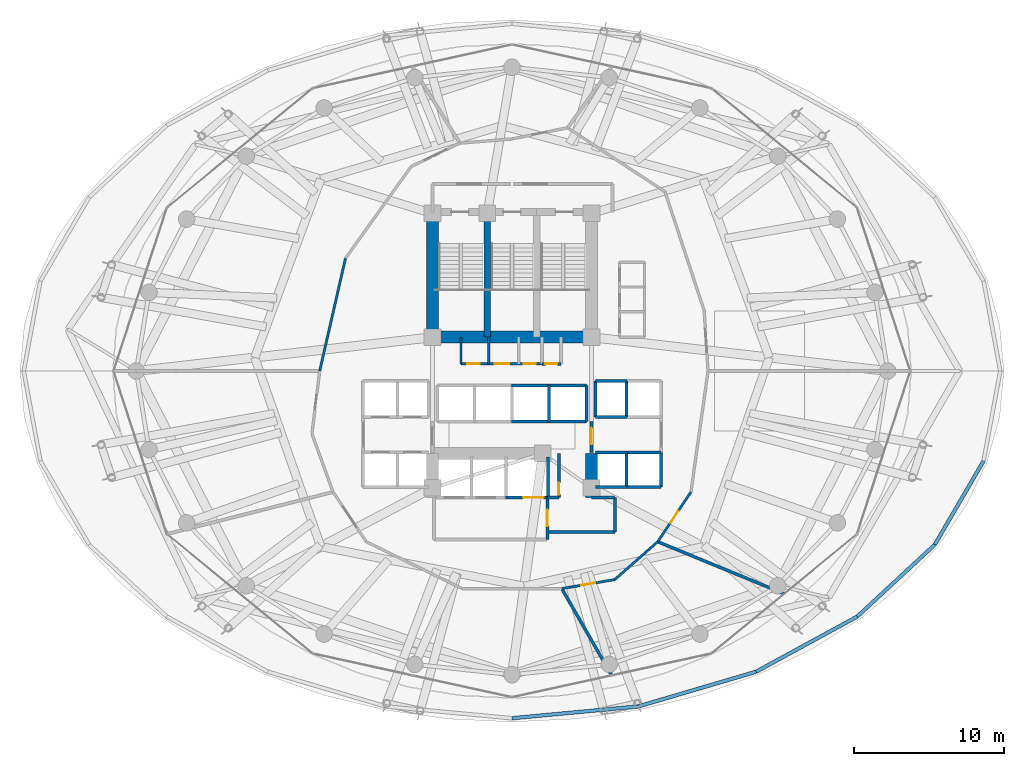
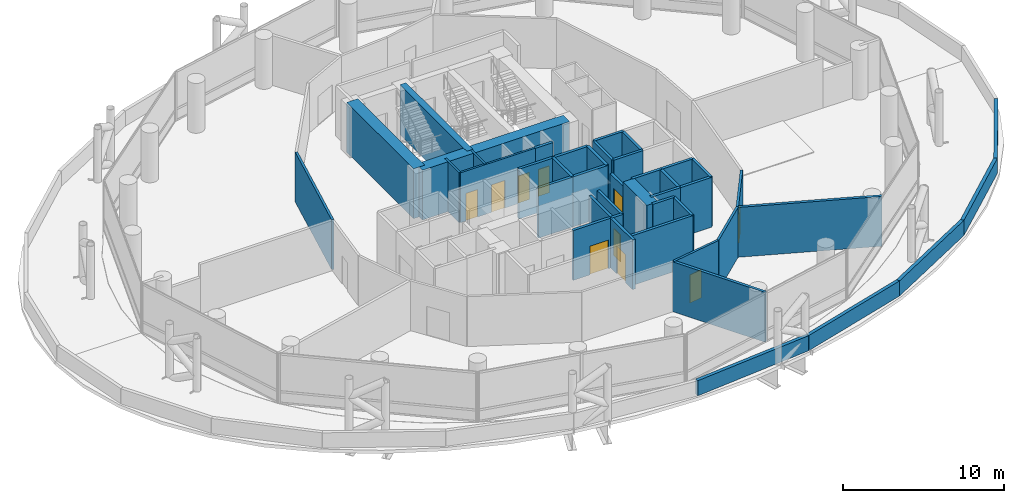
# One storey, part 30 of 37: 44 walls, 10 doors, 10 openings.
"""IFC4 building model written with IfcOpenShell, lengths in metres."""

from ifc_helpers import new_model, si_unit, direction, frame, frame_2d, origin, place, context, subcontext, project, spatial, rectangle, extrude, material, layer, layer_set, type_object, element, fill, save


model = new_model("IFC4")

# Units and contexts
model_context = context("Model", 3, precision=1e-05, world=origin(), true_north=direction((0.0, 1.0)))
body_context = subcontext(model_context, "Body", "Model", "MODEL_VIEW")
ifc_project = project(units=[si_unit("LENGTHUNIT", "METRE"), si_unit("AREAUNIT", "SQUARE_METRE"), si_unit("VOLUMEUNIT", "CUBIC_METRE"), si_unit("PLANEANGLEUNIT", "RADIAN"), si_unit("MASSUNIT", "GRAM", prefix="KILO")], contexts=[model_context])

# Site, building, storey
site_placement = place(None, origin())
site = spatial("IfcSite", under=ifc_project, at=site_placement, CompositionType="ELEMENT")
building_placement = place(site_placement, origin())
building = spatial("IfcBuilding", under=site, at=building_placement, Name="Nuhasar Tower", CompositionType="ELEMENT")
storey_placement = place(building_placement, frame((0.0, 0.0, 21.0)))
storey = spatial("IfcBuildingStorey", under=building, at=storey_placement, Name="L04", CompositionType="ELEMENT", Elevation=21.0)

# Walls
ifc_material_1 = material(Name="Concrete C50/60", Category="concrete")
ifc_layer_1 = layer(ifc_material_1, 0.449951171875)
ifc_layer_set_1 = layer_set([ifc_layer_1], Name="Concrete C50/60")
wall_type_1 = type_object("IfcWallType", Name="WL-CORE-450", PredefinedType="SHEAR", material=ifc_layer_set_1)
wall_1_placement = place(storey_placement, frame((37.35009765625, 29.050048828125, 0.0), z_axis=(0.0, 0.0, 1.0), x_axis=(0.0, 1.0, 0.0)))
element("IfcWall", 1, at=wall_1_placement, inside=storey, type_object=wall_type_1, Name="L04 Stairwell Shear Wall ST01-E", PredefinedType="SHEAR", context=body_context, shape_type="SweptSolid", body=[
    extrude(rectangle(XDim=8.349853515625, YDim=0.449951171875, at=frame_2d((4.1748046875, 0.0))), origin(), (0.0, 0.0, 1.0), 3.7900390625),
])
ifc_material_2 = material(Name="Concrete C80/95", Category="concrete")
ifc_layer_2 = layer(ifc_material_2, 0.800048828125)
ifc_layer_set_2 = layer_set([ifc_layer_2], Name="Concrete C80/95")
wall_type_2 = type_object("IfcWallType", Name="WL-CORE-800", PredefinedType="SHEAR", material=ifc_layer_set_2)
wall_2_placement = place(storey_placement, frame((33.699951171875, 29.050048828125, 0.0), z_axis=(0.0, 0.0, 1.0), x_axis=(0.0, 1.0, 0.0)))
element("IfcWall", 2, at=wall_2_placement, inside=storey, type_object=wall_type_2, Name="L04 Core Shear Wall CW-NW CW-800", PredefinedType="SHEAR", context=body_context, shape_type="SweptSolid", body=[
    extrude(rectangle(XDim=8.349853515625, YDim=0.800048828125, at=frame_2d((4.1748046875, 0.0))), origin(), (0.0, 0.0, 1.0), 3.7900390625),
])
wall_3_placement = place(storey_placement, frame((44.300048828125, 18.35009765625, 0.0), z_axis=(0.0, 0.0, 1.0), x_axis=(0.0, 1.0, 0.0)))
element("IfcWall", 3, at=wall_3_placement, inside=storey, type_object=wall_type_2, Name="L04 Core Shear Wall CW-SE CW-800", PredefinedType="SHEAR", context=body_context, shape_type="SweptSolid", body=[
    extrude(rectangle(XDim=2.949951171875, YDim=0.800048828125, at=frame_2d((1.47509765625, 0.0))), origin(), (0.0, 0.0, 1.0), 3.7900390625),
])
wall_4_placement = place(storey_placement, frame((33.699951171875, 29.050048828125, 0.0), z_axis=(0.0, 0.0, 1.0), x_axis=(1.0, 0.0, 0.0)))
element("IfcWall", 4, at=wall_4_placement, inside=storey, type_object=wall_type_2, Name="L04 Core Shear Wall CW-N1 CW-800", PredefinedType="SHEAR", context=body_context, shape_type="SweptSolid", body=[
    extrude(rectangle(XDim=10.60009765625, YDim=0.800048828125, at=frame_2d((5.300048828125, 0.0))), origin(), (0.0, 0.0, 1.0), 3.7900390625),
])
ifc_material_3 = material(Name="Gypsum Board", Category="gypsum")
ifc_layer_3 = layer(ifc_material_3, 0.159912109375)
ifc_layer_set_3 = layer_set([ifc_layer_3], Name="Gypsum Board")
wall_type_3 = type_object("IfcWallType", Name="WL-CORR-160", PredefinedType="PARTITIONING", material=ifc_layer_set_3)
wall_5_placement = place(storey_placement, frame((27.89794921875, 34.31005859375, 0.0), z_axis=(0.0, 0.0, 1.0), x_axis=(-0.223002916051, -0.974817777553, 0.0)))
element("IfcWall", 5, at=wall_5_placement, inside=storey, type_object=wall_type_3, Name="L04 Interior Partition CORR-20", PredefinedType="PARTITIONING", context=body_context, shape_type="SweptSolid", body=[
    extrude(rectangle(XDim=7.7041015625, YDim=0.159912109375, at=frame_2d((3.85205078125, 0.0))), origin(), (0.0, 0.0, 1.0), 3.7900390625),
])

# Wall, opening, door
wall_6_placement = place(storey_placement, frame((45.85205078125, 12.89501953125, 0.0), z_axis=(0.0, 0.0, 1.0), x_axis=(-0.985751576779, -0.168207695658, 0.0)))
wall_6 = element("IfcWall", 6, at=wall_6_placement, inside=storey, type_object=wall_type_3, Name="L04 Interior Partition CORR-38", PredefinedType="PARTITIONING", context=body_context, shape_type="SweptSolid", body=[
    extrude(rectangle(XDim=3.5849609375, YDim=0.159912109375, at=frame_2d((1.79248046875, 0.0))), origin(), (0.0, 0.0, 1.0), 3.7900390625),
])
opening_1_placement = place(wall_6_placement, frame((1.318115234375, 0.0, 0.0)))
opening_1 = element("IfcOpeningElement", 7, at=opening_1_placement, cuts=wall_6, Name="Opening DO-01", PredefinedType="OPENING", context=body_context, shape_type="SweptSolid", body=[
    extrude(rectangle(XDim=0.949951171875, YDim=2.14990234375, at=frame_2d((0.47509765625, 1.074951171875))), frame((0.0, 0.08984375, 0.0), z_axis=(0.0, -1.0, 0.0), x_axis=(1.0, 0.0, 0.0)), (0.0, 0.0, 1.0), 0.179931640625),
])
ifc_material_4 = material(Name="Timber Oak", Category="wood")
door_type_1 = type_object("IfcDoorType", Name="DR-OFFICE-FD30-950", OperationType="NOTDEFINED", PredefinedType="DOOR", material=ifc_material_4)
door_1_placement = place(opening_1_placement, origin())
door_1 = element("IfcDoor", 8, at=door_1_placement, inside=storey, type_object=door_type_1, Name="L04 Client Wellness Lounge Entry Door", OperationType="SINGLE_SWING_RIGHT", OverallHeight=2.14990234375, OverallWidth=0.949951171875, PredefinedType="DOOR", context=body_context, shape_type="SweptSolid", body=[
    extrude(rectangle(XDim=0.949951171875, YDim=2.14990234375, at=frame_2d((0.47509765625, 1.074951171875))), frame((0.0, 0.02490234375, 0.0), z_axis=(0.0, -1.0, 0.0), x_axis=(1.0, 0.0, 0.0)), (0.0, 0.0, 1.0), 0.050048828125),
])
fill(opening_1, door_1)

# Wall
wall_7_placement = place(storey_placement, frame((45.85205078125, 12.89501953125, 0.0), z_axis=(0.0, 0.0, 1.0), x_axis=(0.75014962781, 0.661268127083, 0.0)))
element("IfcWall", 9, at=wall_7_placement, inside=storey, type_object=wall_type_3, Name="L04 Interior Partition CORR-40", PredefinedType="PARTITIONING", context=body_context, shape_type="SweptSolid", body=[
    extrude(rectangle(XDim=3.8154296875, YDim=0.159912109375, at=frame_2d((1.90771484375, 0.0))), origin(), (0.0, 0.0, 1.0), 3.7900390625),
])

# Wall, opening, door
wall_8_placement = place(storey_placement, frame((50.929931640625, 18.72998046875, 0.0), z_axis=(0.0, 0.0, 1.0), x_axis=(-0.556056751682, -0.831144324958, 0.0)))
wall_8 = element("IfcWall", 10, at=wall_8_placement, inside=storey, type_object=wall_type_3, Name="L04 Interior Partition CORR-42", PredefinedType="PARTITIONING", context=body_context, shape_type="SweptSolid", body=[
    extrude(rectangle(XDim=3.98486328125, YDim=0.159912109375, at=frame_2d((1.992431640625, 0.0))), origin(), (0.0, 0.0, 1.0), 3.7900390625),
])
opening_2_placement = place(wall_8_placement, frame((1.51708984375, 0.0, 0.0)))
opening_2 = element("IfcOpeningElement", 11, at=opening_2_placement, cuts=wall_8, Name="Opening DO-01", PredefinedType="OPENING", context=body_context, shape_type="SweptSolid", body=[
    extrude(rectangle(XDim=0.949951171875, YDim=2.14990234375, at=frame_2d((0.47509765625, 1.074951171875))), frame((0.0, 0.08984375, 0.0), z_axis=(0.0, -1.0, 0.0), x_axis=(1.0, 0.0, 0.0)), (0.0, 0.0, 1.0), 0.179931640625),
])
door_2_placement = place(opening_2_placement, origin())
door_2 = element("IfcDoor", 12, at=door_2_placement, inside=storey, type_object=door_type_1, Name="L04 Tenant Archive Store Entry Door", OperationType="SINGLE_SWING_RIGHT", OverallHeight=2.14990234375, OverallWidth=0.949951171875, PredefinedType="DOOR", context=body_context, shape_type="SweptSolid", body=[
    extrude(rectangle(XDim=0.949951171875, YDim=2.14990234375, at=frame_2d((0.47509765625, 1.074951171875))), frame((0.0, 0.02490234375, 0.0), z_axis=(0.0, -1.0, 0.0), x_axis=(1.0, 0.0, 0.0)), (0.0, 0.0, 1.0), 0.050048828125),
])
fill(opening_2, door_2)

ifc_material_5 = material(Name="Concrete C45/55", Category="concrete")
ifc_layer_4 = layer(ifc_material_5, 0.199951171875)
ifc_layer_set_4 = layer_set([ifc_layer_4], Name="Concrete C45/55")
wall_type_4 = type_object("IfcWallType", Name="WL-LOBBY-200", PredefinedType="SOLIDWALL", material=ifc_layer_set_4)
wall_9_placement = place(storey_placement, frame((44.300048828125, 21.35009765625, 0.0), z_axis=(0.0, 0.0, 1.0), x_axis=(0.0, 1.0, 0.0)))
wall_9 = element("IfcWall", 13, at=wall_9_placement, inside=storey, type_object=wall_type_4, Name="L04 Interior Partition LLBH-E", PredefinedType="SOLIDWALL", context=body_context, shape_type="SweptSolid", body=[
    extrude(rectangle(XDim=2.099853515625, YDim=0.199951171875, at=frame_2d((1.0498046875, 0.0))), origin(), (0.0, 0.0, 1.0), 3.010009765625),
])
opening_3_placement = place(wall_9_placement, frame((0.550048828125, 0.0, 0.0)))
opening_3 = element("IfcOpeningElement", 14, at=opening_3_placement, cuts=wall_9, Name="Opening DS-02", PredefinedType="OPENING", context=body_context, shape_type="SweptSolid", body=[
    extrude(rectangle(XDim=1.10009765625, YDim=2.14990234375, at=frame_2d((0.550048828125, 1.074951171875))), frame((0.0, 0.10986328125, 0.0), z_axis=(0.0, -1.0, 0.0), x_axis=(1.0, 0.0, 0.0)), (0.0, 0.0, 1.0), 0.219970703125),
])
ifc_material_6 = material(Name="Steel S355", Category="steel")
door_type_2 = type_object("IfcDoorType", Name="DR-FFL-FD120-1100", OperationType="NOTDEFINED", PredefinedType="DOOR", material=ifc_material_6)
door_3_placement = place(opening_3_placement, origin())
door_3 = element("IfcDoor", 15, at=door_3_placement, inside=storey, type_object=door_type_2, Name="L04 High-Rise Lobby East Door", OperationType="SINGLE_SWING_RIGHT", OverallHeight=2.14990234375, OverallWidth=1.10009765625, PredefinedType="DOOR", context=body_context, shape_type="SweptSolid", body=[
    extrude(rectangle(XDim=1.10009765625, YDim=2.14990234375, at=frame_2d((0.550048828125, 1.074951171875))), frame((0.0, 0.02490234375, 0.0), z_axis=(0.0, -1.0, 0.0), x_axis=(1.0, 0.0, 0.0)), (0.0, 0.0, 1.0), 0.050048828125),
])
fill(opening_3, door_3)

wall_10_placement = place(storey_placement, frame((41.35009765625, 15.550048828125, 0.0), z_axis=(0.0, 0.0, 1.0), x_axis=(0.0, 1.0, 0.0)))
wall_10 = element("IfcWall", 16, at=wall_10_placement, inside=storey, type_object=wall_type_4, Name="L04 Interior Partition FFL-E", PredefinedType="SOLIDWALL", context=body_context, shape_type="SweptSolid", body=[
    extrude(rectangle(XDim=2.800048828125, YDim=0.199951171875, at=frame_2d((1.39990234375, 0.0))), origin(), (0.0, 0.0, 1.0), 3.7900390625),
])
opening_4_placement = place(wall_10_placement, frame((0.89990234375, 0.0, 0.0)))
opening_4 = element("IfcOpeningElement", 17, at=opening_4_placement, cuts=wall_10, Name="Opening DS-02", PredefinedType="OPENING", context=body_context, shape_type="SweptSolid", body=[
    extrude(rectangle(XDim=1.10009765625, YDim=2.14990234375, at=frame_2d((0.550048828125, 1.074951171875))), frame((0.0, 0.10986328125, 0.0), z_axis=(0.0, -1.0, 0.0), x_axis=(1.0, 0.0, 0.0)), (0.0, 0.0, 1.0), 0.219970703125),
])
door_4_placement = place(opening_4_placement, origin())
door_4 = element("IfcDoor", 18, at=door_4_placement, inside=storey, type_object=door_type_2, Name="L04 Firefighting Lobby Door", OperationType="SINGLE_SWING_RIGHT", OverallHeight=2.14990234375, OverallWidth=1.10009765625, PredefinedType="DOOR", context=body_context, shape_type="SweptSolid", body=[
    extrude(rectangle(XDim=1.10009765625, YDim=2.14990234375, at=frame_2d((0.550048828125, 1.074951171875))), frame((0.0, 0.02490234375, 0.0), z_axis=(0.0, -1.0, 0.0), x_axis=(1.0, 0.0, 0.0)), (0.0, 0.0, 1.0), 0.050048828125),
])
fill(opening_4, door_4)

# Walls
wall_11_placement = place(storey_placement, frame((41.35009765625, 16.050048828125, 0.0), z_axis=(0.0, 0.0, 1.0), x_axis=(1.0, 0.0, 0.0)))
element("IfcWall", 19, at=wall_11_placement, inside=storey, type_object=wall_type_4, Name="L04 Interior Partition SVLV-S", PredefinedType="SOLIDWALL", context=body_context, shape_type="SweptSolid", body=[
    extrude(rectangle(XDim=4.5, YDim=0.199951171875, at=frame_2d((2.25, 0.0))), origin(), (0.0, 0.0, 1.0), 3.7900390625),
])
wall_12_placement = place(storey_placement, frame((45.85009765625, 16.050048828125, 0.0), z_axis=(0.0, 0.0, 1.0), x_axis=(0.0, 1.0, 0.0)))
element("IfcWall", 20, at=wall_12_placement, inside=storey, type_object=wall_type_4, Name="L04 Interior Partition SVLV-E", PredefinedType="SOLIDWALL", context=body_context, shape_type="SweptSolid", body=[
    extrude(rectangle(XDim=2.300048828125, YDim=0.199951171875, at=frame_2d((1.14990234375, 0.0))), origin(), (0.0, 0.0, 1.0), 3.7900390625),
])
wall_13_placement = place(storey_placement, frame((44.300048828125, 18.35009765625, 0.0), z_axis=(0.0, 0.0, 1.0), x_axis=(1.0, 0.0, 0.0)))
element("IfcWall", 21, at=wall_13_placement, inside=storey, type_object=wall_type_4, Name="L04 Interior Partition SVLV-N", PredefinedType="SOLIDWALL", context=body_context, shape_type="SweptSolid", body=[
    extrude(rectangle(XDim=1.550048828125, YDim=0.199951171875, at=frame_2d((0.77490234375, 0.0))), origin(), (0.0, 0.0, 1.0), 3.7900390625),
])
ifc_layer_5 = layer(ifc_material_5, 0.239990234375)
ifc_layer_set_5 = layer_set([ifc_layer_5], Name="Concrete C45/55")
wall_type_5 = type_object("IfcWallType", Name="WL-PARAPET-240", PredefinedType="PARAPET", material=ifc_layer_set_5)
wall_14_placement = place(storey_placement, frame((39.0, 3.64990234375, 0.0), z_axis=(0.0, 0.0, 1.0), x_axis=(0.995642852172, 0.093248651025, 0.0)))
element("IfcWall", 22, at=wall_14_placement, inside=storey, type_object=wall_type_5, Name="L04 Podium Roof Parapet 19", PredefinedType="PARAPET", context=body_context, shape_type="SweptSolid", body=[
    extrude(rectangle(XDim=8.4619140625, YDim=0.239990234375, at=frame_2d((4.23095703125, 0.0))), origin(), (0.0, 0.0, 1.0), 1.14990234375),
])
wall_15_placement = place(storey_placement, frame((47.425048828125, 4.43896484375, 0.0), z_axis=(0.0, 0.0, 1.0), x_axis=(0.959226195017, 0.282639535085, 0.0)))
element("IfcWall", 23, at=wall_15_placement, inside=storey, type_object=wall_type_5, Name="L04 Podium Roof Parapet 20", PredefinedType="PARAPET", context=body_context, shape_type="SweptSolid", body=[
    extrude(rectangle(XDim=8.18359375, YDim=0.239990234375, at=frame_2d((4.091796875, 0.0))), origin(), (0.0, 0.0, 1.0), 1.14990234375),
])
wall_16_placement = place(storey_placement, frame((55.27490234375, 6.751953125, 0.0), z_axis=(0.0, 0.0, 1.0), x_axis=(0.877843323355, 0.47894790911, 0.0)))
element("IfcWall", 24, at=wall_16_placement, inside=storey, type_object=wall_type_5, Name="L04 Podium Roof Parapet 21", PredefinedType="PARAPET", context=body_context, shape_type="SweptSolid", body=[
    extrude(rectangle(XDim=7.67919921875, YDim=0.239990234375, at=frame_2d((3.839599609375, 0.0))), origin(), (0.0, 0.0, 1.0), 1.14990234375),
])
wall_17_placement = place(storey_placement, frame((62.01611328125, 10.429931640625, 0.0), z_axis=(0.0, 0.0, 1.0), x_axis=(0.733372632091, 0.679826876859, 0.0)))
element("IfcWall", 25, at=wall_17_placement, inside=storey, type_object=wall_type_5, Name="L04 Podium Roof Parapet 22", PredefinedType="PARAPET", context=body_context, shape_type="SweptSolid", body=[
    extrude(rectangle(XDim=7.053466796875, YDim=0.239990234375, at=frame_2d((3.52685546875, 0.0))), origin(), (0.0, 0.0, 1.0), 1.14990234375),
])
wall_18_placement = place(storey_placement, frame((67.18896484375, 15.22509765625, 0.0), z_axis=(0.0, 0.0, 1.0), x_axis=(0.503316458363, 0.864102159898, 0.0)))
element("IfcWall", 26, at=wall_18_placement, inside=storey, type_object=wall_type_5, Name="L04 Podium Roof Parapet 23", PredefinedType="PARAPET", context=body_context, shape_type="SweptSolid", body=[
    extrude(rectangle(XDim=6.4609375, YDim=0.239990234375, at=frame_2d((3.23046875, 0.0))), origin(), (0.0, 0.0, 1.0), 1.14990234375),
])

# Wall, opening, door
ifc_layer_6 = layer(ifc_material_5, 0.199951171875)
ifc_layer_set_6 = layer_set([ifc_layer_6], Name="Concrete C45/55")
wall_type_6 = type_object("IfcWallType", Name="WL-SHAFT-200", PredefinedType="SOLIDWALL", material=ifc_layer_set_6)
wall_19_placement = place(storey_placement, frame((41.0, 27.280029296875, 0.0), z_axis=(0.0, 0.0, 1.0), x_axis=(1.0, 0.0, 0.0)))
wall_19 = element("IfcWall", 27, at=wall_19_placement, inside=storey, type_object=wall_type_6, Name="L04 Interior Partition RSRN-S", PredefinedType="SOLIDWALL", context=body_context, shape_type="SweptSolid", body=[
    extrude(rectangle(XDim=1.260009765625, YDim=0.199951171875, at=frame_2d((0.6298828125, 0.0))), origin(), (0.0, 0.0, 1.0), 3.7900390625),
])
opening_5_placement = place(wall_19_placement, frame((0.22998046875, 0.0, 0.0)))
opening_5 = element("IfcOpeningElement", 28, at=opening_5_placement, cuts=wall_19, Name="Opening DM-01", PredefinedType="OPENING", context=body_context, shape_type="SweptSolid", body=[
    extrude(rectangle(XDim=0.800048828125, YDim=2.050048828125, at=frame_2d((0.39990234375, 1.02490234375))), frame((0.0, 0.10986328125, 0.0), z_axis=(0.0, -1.0, 0.0), x_axis=(1.0, 0.0, 0.0)), (0.0, 0.0, 1.0), 0.219970703125),
])
door_type_3 = type_object("IfcDoorType", Name="DR-RISER-FD60-800", OperationType="NOTDEFINED", PredefinedType="DOOR", material=ifc_material_6)
door_5_placement = place(opening_5_placement, origin())
door_5 = element("IfcDoor", 29, at=door_5_placement, inside=storey, type_object=door_type_3, Name="L04 North Smoke Riser Door", OperationType="SINGLE_SWING_RIGHT", OverallHeight=2.050048828125, OverallWidth=0.800048828125, PredefinedType="DOOR", context=body_context, shape_type="SweptSolid", body=[
    extrude(rectangle(XDim=0.800048828125, YDim=2.050048828125, at=frame_2d((0.39990234375, 1.02490234375))), frame((0.0, 0.02490234375, 0.0), z_axis=(0.0, -1.0, 0.0), x_axis=(1.0, 0.0, 0.0)), (0.0, 0.0, 1.0), 0.050048828125),
])
fill(opening_5, door_5)

# Walls
for number, where, z_axis, x_axis, name in (
    (30, (44.570068359375, 23.719970703125, 0.0), (0.0, 0.0, 1.0), (1.0, 0.0, 0.0), "L04 Interior Partition SHF-PL-M01-S"),
    (31, (44.570068359375, 26.1298828125, 0.0), (0.0, 0.0, 1.0), (1.0, 0.0, 0.0), "L04 Interior Partition SHF-PL-M01-N"),
):
    element("IfcWall", number, at=place(storey_placement, frame(where, z_axis=z_axis, x_axis=x_axis)), inside=storey, type_object=wall_type_6, Name=name, PredefinedType="SOLIDWALL", context=body_context, shape_type="SweptSolid", body=[
        extrude(rectangle(XDim=2.10986328125, YDim=0.199951171875, at=frame_2d((1.054931640625, 0.0))), origin(), (0.0, 0.0, 1.0), 3.7900390625),
    ])
for number, where, z_axis, x_axis, name in (
    (32, (44.570068359375, 23.719970703125, 0.0), (0.0, 0.0, 1.0), (0.0, 1.0, 0.0), "L04 Interior Partition SHF-PL-M01-W"),
    (33, (46.64990234375, 23.719970703125, 0.0), (0.0, 0.0, 1.0), (0.0, 1.0, 0.0), "L04 Interior Partition SHF-PL-M01-E"),
):
    element("IfcWall", number, at=place(storey_placement, frame(where, z_axis=z_axis, x_axis=x_axis)), inside=storey, type_object=wall_type_6, Name=name, PredefinedType="SOLIDWALL", context=body_context, shape_type="SweptSolid", body=[
        extrude(rectangle(XDim=2.409912109375, YDim=0.199951171875, at=frame_2d((1.205078125, 0.0))), origin(), (0.0, 0.0, 1.0), 3.7900390625),
    ])
for number, where, z_axis, x_axis, name in (
    (34, (44.570068359375, 19.070068359375, 0.0), (0.0, 0.0, 1.0), (1.0, 0.0, 0.0), "L04 Interior Partition SHF-PL-M03-S"),
    (35, (44.570068359375, 21.3798828125, 0.0), (0.0, 0.0, 1.0), (1.0, 0.0, 0.0), "L04 Interior Partition SHF-PL-M03-N"),
):
    element("IfcWall", number, at=place(storey_placement, frame(where, z_axis=z_axis, x_axis=x_axis)), inside=storey, type_object=wall_type_6, Name=name, PredefinedType="SOLIDWALL", context=body_context, shape_type="SweptSolid", body=[
        extrude(rectangle(XDim=2.10986328125, YDim=0.199951171875, at=frame_2d((1.054931640625, 0.0))), origin(), (0.0, 0.0, 1.0), 3.7900390625),
    ])
for number, where, z_axis, x_axis, name in (
    (36, (46.64990234375, 19.070068359375, 0.0), (0.0, 0.0, 1.0), (0.0, 1.0, 0.0), "L04 Interior Partition SHF-PL-M03-E"),
    (37, (46.6201171875, 19.070068359375, 0.0), (0.0, 0.0, 1.0), (1.0, 0.0, 0.0), "L04 Interior Partition SHF-PL-M04-S"),
    (38, (46.6201171875, 21.3798828125, 0.0), (0.0, 0.0, 1.0), (1.0, 0.0, 0.0), "L04 Interior Partition SHF-PL-M04-N"),
    (39, (48.929931640625, 19.070068359375, 0.0), (0.0, 0.0, 1.0), (0.0, 1.0, 0.0), "L04 Interior Partition SHF-PL-M04-E"),
):
    element("IfcWall", number, at=place(storey_placement, frame(where, z_axis=z_axis, x_axis=x_axis)), inside=storey, type_object=wall_type_6, Name=name, PredefinedType="SOLIDWALL", context=body_context, shape_type="SweptSolid", body=[
        extrude(rectangle(XDim=2.309814453125, YDim=0.199951171875, at=frame_2d((1.15478515625, 0.0))), origin(), (0.0, 0.0, 1.0), 3.7900390625),
    ])
for number, where, z_axis, x_axis, name in (
    (40, (38.97998046875, 23.419921875, 0.0), (0.0, 0.0, 1.0), (1.0, 0.0, 0.0), "L04 Interior Partition SHF-PL-H03-S"),
    (41, (38.97998046875, 25.830078125, 0.0), (0.0, 0.0, 1.0), (1.0, 0.0, 0.0), "L04 Interior Partition SHF-PL-H03-N"),
):
    element("IfcWall", number, at=place(storey_placement, frame(where, z_axis=z_axis, x_axis=x_axis)), inside=storey, type_object=wall_type_6, Name=name, PredefinedType="SOLIDWALL", context=body_context, shape_type="SweptSolid", body=[
        extrude(rectangle(XDim=2.5, YDim=0.199951171875, at=frame_2d((1.25, 0.0))), origin(), (0.0, 0.0, 1.0), 3.7900390625),
    ])
wall_20_placement = place(storey_placement, frame((41.469970703125, 23.419921875, 0.0), z_axis=(0.0, 0.0, 1.0), x_axis=(0.0, 1.0, 0.0)))
element("IfcWall", 42, at=wall_20_placement, inside=storey, type_object=wall_type_6, Name="L04 Interior Partition SHF-PL-H03-E", PredefinedType="SOLIDWALL", context=body_context, shape_type="SweptSolid", body=[
    extrude(rectangle(XDim=2.41015625, YDim=0.199951171875, at=frame_2d((1.205078125, 0.0))), origin(), (0.0, 0.0, 1.0), 3.7900390625),
])
for number, where, z_axis, x_axis, name in (
    (43, (41.4599609375, 23.419921875, 0.0), (0.0, 0.0, 1.0), (1.0, 0.0, 0.0), "L04 Interior Partition SHF-PL-H04-S"),
    (44, (41.4599609375, 25.830078125, 0.0), (0.0, 0.0, 1.0), (1.0, 0.0, 0.0), "L04 Interior Partition SHF-PL-H04-N"),
):
    element("IfcWall", number, at=place(storey_placement, frame(where, z_axis=z_axis, x_axis=x_axis)), inside=storey, type_object=wall_type_6, Name=name, PredefinedType="SOLIDWALL", context=body_context, shape_type="SweptSolid", body=[
        extrude(rectangle(XDim=2.5, YDim=0.199951171875, at=frame_2d((1.25, 0.0))), origin(), (0.0, 0.0, 1.0), 3.7900390625),
    ])
wall_21_placement = place(storey_placement, frame((43.9599609375, 23.419921875, 0.0), z_axis=(0.0, 0.0, 1.0), x_axis=(0.0, 1.0, 0.0)))
element("IfcWall", 45, at=wall_21_placement, inside=storey, type_object=wall_type_6, Name="L04 Interior Partition SHF-PL-H04-E", PredefinedType="SOLIDWALL", context=body_context, shape_type="SweptSolid", body=[
    extrude(rectangle(XDim=2.41015625, YDim=0.199951171875, at=frame_2d((1.205078125, 0.0))), origin(), (0.0, 0.0, 1.0), 3.7900390625),
])

# Wall, opening, door
wall_22_placement = place(storey_placement, frame((38.570068359375, 18.3701171875, 0.0), z_axis=(0.0, 0.0, 1.0), x_axis=(1.0, 0.0, 0.0)))
wall_22 = element("IfcWall", 46, at=wall_22_placement, inside=storey, type_object=wall_type_6, Name="L04 Interior Partition SHF-SVL-01-S", PredefinedType="SOLIDWALL", context=body_context, shape_type="SweptSolid", body=[
    extrude(rectangle(XDim=2.829833984375, YDim=0.199951171875, at=frame_2d((1.4150390625, 0.0))), origin(), (0.0, 0.0, 1.0), 3.7900390625),
])
opening_6_placement = place(wall_22_placement, frame((1.179931640625, 0.0, 0.0)))
opening_6 = element("IfcOpeningElement", 47, at=opening_6_placement, cuts=wall_22, Name="Opening LD-S01", PredefinedType="OPENING", context=body_context, shape_type="SweptSolid", body=[
    extrude(rectangle(XDim=1.35009765625, YDim=2.179931640625, at=frame_2d((0.675048828125, 1.08984375))), frame((0.0, 0.10986328125, 0.0), z_axis=(0.0, -1.0, 0.0), x_axis=(1.0, 0.0, 0.0)), (0.0, 0.0, 1.0), 0.219970703125),
])
ifc_material_7 = material(Name="Stainless Steel 316L", Category="steel")
door_type_4 = type_object("IfcDoorType", Name="LD-SVL-1350", OperationType="DOUBLE_DOOR_SLIDING", PredefinedType="DOOR", material=ifc_material_7)
door_6_placement = place(opening_6_placement, origin())
door_6 = element("IfcDoor", 48, at=door_6_placement, inside=storey, type_object=door_type_4, Name="L04 Lift Landing Door SVL-01", OperationType="DOUBLE_DOOR_SLIDING", OverallHeight=2.179931640625, OverallWidth=1.35009765625, PredefinedType="DOOR", context=body_context, shape_type="SweptSolid", body=[
    extrude(rectangle(XDim=1.35009765625, YDim=2.179931640625, at=frame_2d((0.675048828125, 1.08984375))), frame((0.0, 0.02490234375, 0.0), z_axis=(0.0, -1.0, 0.0), x_axis=(1.0, 0.0, 0.0)), (0.0, 0.0, 1.0), 0.050048828125),
])
fill(opening_6, door_6)

# Wall
wall_23_placement = place(storey_placement, frame((41.39990234375, 18.3701171875, 0.0), z_axis=(0.0, 0.0, 1.0), x_axis=(0.0, 1.0, 0.0)))
element("IfcWall", 49, at=wall_23_placement, inside=storey, type_object=wall_type_6, Name="L04 Interior Partition SHF-SVL-01-E", PredefinedType="SOLIDWALL", context=body_context, shape_type="SweptSolid", body=[
    extrude(rectangle(XDim=2.7099609375, YDim=0.199951171875, at=frame_2d((1.35498046875, 0.0))), origin(), (0.0, 0.0, 1.0), 3.7900390625),
])

# Wall, opening, door
wall_24_placement = place(storey_placement, frame((42.1201171875, 18.35009765625, 0.0), z_axis=(0.0, 0.0, 1.0), x_axis=(0.0, 1.0, 0.0)))
wall_24 = element("IfcWall", 50, at=wall_24_placement, inside=storey, type_object=wall_type_6, Name="L04 Interior Partition RSR-E", PredefinedType="SOLIDWALL", context=body_context, shape_type="SweptSolid", body=[
    extrude(rectangle(XDim=2.949951171875, YDim=0.199951171875, at=frame_2d((1.47509765625, 0.0))), origin(), (0.0, 0.0, 1.0), 3.7900390625),
])
opening_7_placement = place(wall_24_placement, frame((0.199951171875, 0.0, 0.0)))
opening_7 = element("IfcOpeningElement", 51, at=opening_7_placement, cuts=wall_24, Name="Opening DM-01", PredefinedType="OPENING", context=body_context, shape_type="SweptSolid", body=[
    extrude(rectangle(XDim=0.800048828125, YDim=2.050048828125, at=frame_2d((0.39990234375, 1.02490234375))), frame((0.0, 0.10986328125, 0.0), z_axis=(0.0, -1.0, 0.0), x_axis=(1.0, 0.0, 0.0)), (0.0, 0.0, 1.0), 0.219970703125),
])
door_7_placement = place(opening_7_placement, origin())
door_7 = element("IfcDoor", 52, at=door_7_placement, inside=storey, type_object=door_type_3, Name="L04 MEP Riser Access Door", OperationType="SINGLE_SWING_LEFT", OverallHeight=2.050048828125, OverallWidth=0.800048828125, PredefinedType="DOOR", context=body_context, shape_type="SweptSolid", body=[
    extrude(rectangle(XDim=0.800048828125, YDim=2.050048828125, at=frame_2d((0.39990234375, 1.02490234375))), frame((0.0, 0.02490234375, 0.0), z_axis=(0.0, -1.0, 0.0), x_axis=(1.0, 0.0, 0.0)), (0.0, 0.0, 1.0), 0.050048828125),
])
fill(opening_7, door_7)

# Walls
wall_25_placement = place(storey_placement, frame((41.35009765625, 18.35009765625, 0.0), z_axis=(0.0, 0.0, 1.0), x_axis=(1.0, 0.0, 0.0)))
element("IfcWall", 53, at=wall_25_placement, inside=storey, type_object=wall_type_6, Name="L04 Interior Partition RSR-S", PredefinedType="SOLIDWALL", context=body_context, shape_type="SweptSolid", body=[
    extrude(rectangle(XDim=0.77001953125, YDim=0.199951171875, at=frame_2d((0.385009765625, 0.0))), origin(), (0.0, 0.0, 1.0), 3.7900390625),
])
ifc_material_8 = material(Name="Concrete C40/50 precast", Category="concrete")
ifc_layer_7 = layer(ifc_material_8, 0.199951171875)
ifc_layer_set_7 = layer_set([ifc_layer_7], Name="Concrete C40/50 precast")
wall_type_7 = type_object("IfcWallType", Name="WL-UNIT-200", PredefinedType="PARTITIONING", material=ifc_layer_set_7)
wall_26_placement = place(storey_placement, frame((42.318115234375, 12.2919921875, 0.0), z_axis=(0.0, 0.0, 1.0), x_axis=(0.498565662125, -0.866851936925, 0.0)))
element("IfcWall", 54, at=wall_26_placement, inside=storey, type_object=wall_type_7, Name="L04 Interior Partition ORAD-38", PredefinedType="PARTITIONING", context=body_context, shape_type="SweptSolid", body=[
    extrude(rectangle(XDim=6.64697265625, YDim=0.199951171875, at=frame_2d((3.323486328125, 0.0))), origin(), (0.0, 0.0, 1.0), 3.7900390625),
])
wall_27_placement = place(storey_placement, frame((48.714111328125, 15.41796875, 0.0), z_axis=(0.0, 0.0, 1.0), x_axis=(0.924792688949, -0.38047139507, 0.0)))
element("IfcWall", 55, at=wall_27_placement, inside=storey, type_object=wall_type_7, Name="L04 Interior Partition ORAD-42", PredefinedType="PARTITIONING", context=body_context, shape_type="SweptSolid", body=[
    extrude(rectangle(XDim=9.086181640625, YDim=0.199951171875, at=frame_2d((4.54296875, 0.0))), origin(), (0.0, 0.0, 1.0), 3.7900390625),
])
ifc_layer_8 = layer(ifc_material_8, 0.139892578125)
ifc_layer_set_8 = layer_set([ifc_layer_8], Name="Concrete C40/50 precast")
wall_type_8 = type_object("IfcWallType", Name="WL-WET-140", PredefinedType="PARTITIONING", material=ifc_layer_set_8)
wall_28_placement = place(storey_placement, frame((35.60009765625, 27.280029296875, 0.0), z_axis=(0.0, 0.0, 1.0), x_axis=(0.0, 1.0, 0.0)))
element("IfcWall", 56, at=wall_28_placement, inside=storey, type_object=wall_type_8, Name="L04 Interior Partition CSVC-W", PredefinedType="PARTITIONING", context=body_context, shape_type="SweptSolid", body=[
    extrude(rectangle(XDim=1.77001953125, YDim=0.139892578125, at=frame_2d((0.885009765625, 0.0))), origin(), (0.0, 0.0, 1.0), 3.7900390625),
])

# Wall, openings, doors
wall_29_placement = place(storey_placement, frame((35.60009765625, 27.280029296875, 0.0), z_axis=(0.0, 0.0, 1.0), x_axis=(1.0, 0.0, 0.0)))
wall_29 = element("IfcWall", 57, at=wall_29_placement, inside=storey, type_object=wall_type_8, Name="L04 Interior Partition CSVC-S", PredefinedType="PARTITIONING", context=body_context, shape_type="SweptSolid", body=[
    extrude(rectangle(XDim=5.39990234375, YDim=0.139892578125, at=frame_2d((2.699951171875, 0.0))), origin(), (0.0, 0.0, 1.0), 3.7900390625),
])
opening_8_placement = place(wall_29_placement, frame((0.39990234375, 0.0, 0.0)))
opening_8 = element("IfcOpeningElement", 58, at=opening_8_placement, cuts=wall_29, Name="Opening DB-01", PredefinedType="OPENING", context=body_context, shape_type="SweptSolid", body=[
    extrude(rectangle(XDim=0.85009765625, YDim=2.10009765625, at=frame_2d((0.425048828125, 1.050048828125))), frame((0.0, 0.080078125, 0.0), z_axis=(0.0, -1.0, 0.0), x_axis=(1.0, 0.0, 0.0)), (0.0, 0.0, 1.0), 0.159912109375),
])
opening_9_placement = place(wall_29_placement, frame((2.25, 0.0, 0.0)))
opening_9 = element("IfcOpeningElement", 59, at=opening_9_placement, cuts=wall_29, Name="Opening DA-01", PredefinedType="OPENING", context=body_context, shape_type="SweptSolid", body=[
    extrude(rectangle(XDim=0.949951171875, YDim=2.10009765625, at=frame_2d((0.47509765625, 1.050048828125))), frame((0.0, 0.080078125, 0.0), z_axis=(0.0, -1.0, 0.0), x_axis=(1.0, 0.0, 0.0)), (0.0, 0.0, 1.0), 0.159912109375),
])
opening_10_placement = place(wall_29_placement, frame((4.199951171875, 0.0, 0.0)))
opening_10 = element("IfcOpeningElement", 60, at=opening_10_placement, cuts=wall_29, Name="Opening DM-01", PredefinedType="OPENING", context=body_context, shape_type="SweptSolid", body=[
    extrude(rectangle(XDim=0.800048828125, YDim=2.050048828125, at=frame_2d((0.39990234375, 1.02490234375))), frame((0.0, 0.080078125, 0.0), z_axis=(0.0, -1.0, 0.0), x_axis=(1.0, 0.0, 0.0)), (0.0, 0.0, 1.0), 0.159912109375),
])
door_type_5 = type_object("IfcDoorType", Name="DR-ACCWC-950", OperationType="NOTDEFINED", PredefinedType="DOOR", material=ifc_material_4)
door_8_placement = place(opening_9_placement, origin())
door_8 = element("IfcDoor", 61, at=door_8_placement, inside=storey, type_object=door_type_5, Name="L04 Core Accessible WC Door", OperationType="SINGLE_SWING_RIGHT", OverallHeight=2.10009765625, OverallWidth=0.949951171875, PredefinedType="DOOR", context=body_context, shape_type="SweptSolid", body=[
    extrude(rectangle(XDim=0.949951171875, YDim=2.10009765625, at=frame_2d((0.47509765625, 1.050048828125))), frame((0.0, 0.02490234375, 0.0), z_axis=(0.0, -1.0, 0.0), x_axis=(1.0, 0.0, 0.0)), (0.0, 0.0, 1.0), 0.050048828125),
])
fill(opening_9, door_8)
door_type_6 = type_object("IfcDoorType", Name="DR-BATH-850", OperationType="NOTDEFINED", PredefinedType="DOOR", material=ifc_material_4)
door_9_placement = place(opening_8_placement, origin())
door_9 = element("IfcDoor", 62, at=door_9_placement, inside=storey, type_object=door_type_6, Name="L04 Core Male WC Door", OperationType="SINGLE_SWING_LEFT", OverallHeight=2.10009765625, OverallWidth=0.85009765625, PredefinedType="DOOR", context=body_context, shape_type="SweptSolid", body=[
    extrude(rectangle(XDim=0.85009765625, YDim=2.10009765625, at=frame_2d((0.425048828125, 1.050048828125))), frame((0.0, 0.02490234375, 0.0), z_axis=(0.0, -1.0, 0.0), x_axis=(1.0, 0.0, 0.0)), (0.0, 0.0, 1.0), 0.050048828125),
])
fill(opening_8, door_9)
door_10_placement = place(opening_10_placement, origin())
door_10 = element("IfcDoor", 63, at=door_10_placement, inside=storey, type_object=door_type_3, Name="L04 Core Janitor Door", OperationType="SINGLE_SWING_RIGHT", OverallHeight=2.050048828125, OverallWidth=0.800048828125, PredefinedType="DOOR", context=body_context, shape_type="SweptSolid", body=[
    extrude(rectangle(XDim=0.800048828125, YDim=2.050048828125, at=frame_2d((0.39990234375, 1.02490234375))), frame((0.0, 0.02490234375, 0.0), z_axis=(0.0, -1.0, 0.0), x_axis=(1.0, 0.0, 0.0)), (0.0, 0.0, 1.0), 0.050048828125),
])
fill(opening_10, door_10)

# Wall
wall_30_placement = place(storey_placement, frame((37.449951171875, 27.280029296875, 0.0), z_axis=(0.0, 0.0, 1.0), x_axis=(0.0, 1.0, 0.0)))
element("IfcWall", 64, at=wall_30_placement, inside=storey, type_object=wall_type_8, Name="L04 Interior Partition K1-P1", PredefinedType="PARTITIONING", context=body_context, shape_type="SweptSolid", body=[
    extrude(rectangle(XDim=1.77001953125, YDim=0.139892578125, at=frame_2d((0.885009765625, 0.0))), origin(), (0.0, 0.0, 1.0), 3.7900390625),
])

save(model, "model.ifc")
